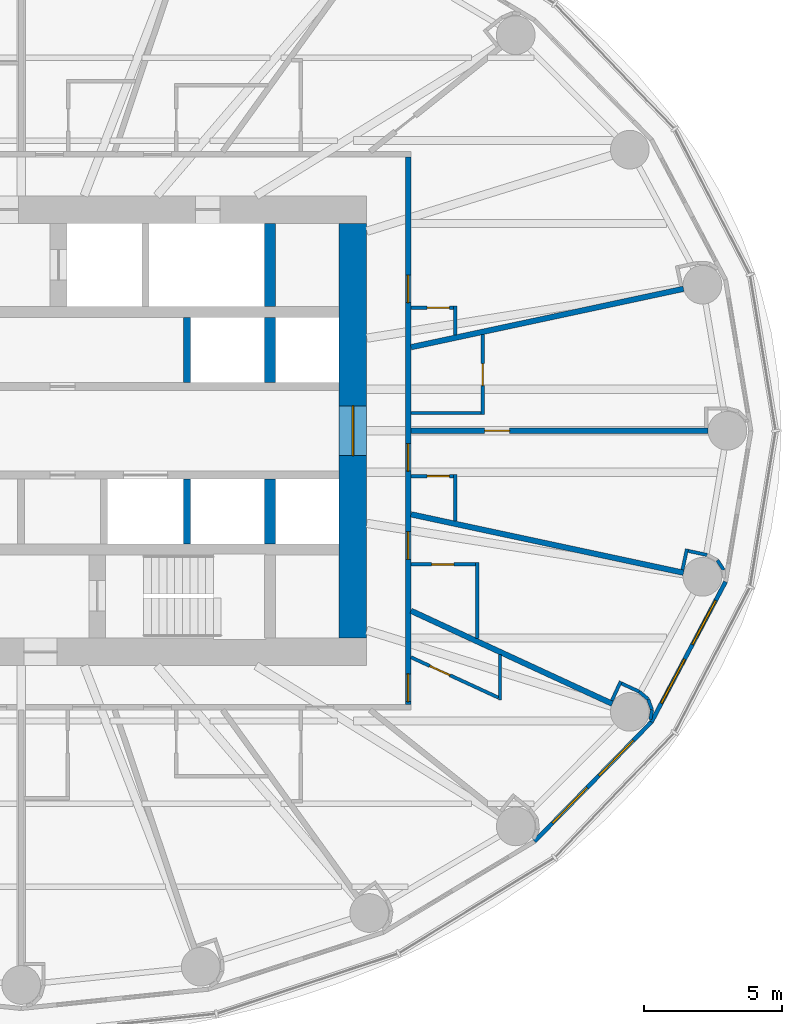
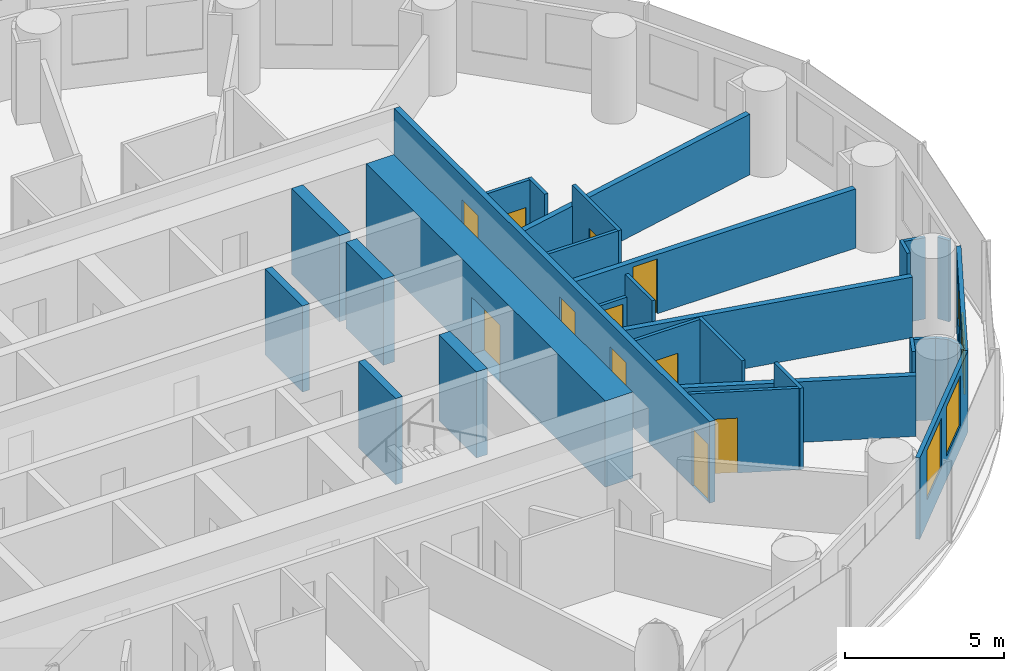
# One storey, part 10 of 14: 31 walls, 11 doors, 4 windows, 15 openings.
"""IFC4 building model written with IfcOpenShell, lengths in metres."""

from ifc_helpers import new_model, si_unit, direction, frame, frame_2d, origin, place, context, subcontext, project, spatial, rectangle, extrude, material, layer, layer_set, type_object, element, fill, save


model = new_model("IFC4")

# Units and contexts
model_context = context("Model", 3, precision=1e-05, world=origin(), true_north=direction((0.0, 1.0)))
body_context = subcontext(model_context, "Body", "Model", "MODEL_VIEW")
ifc_project = project(units=[si_unit("LENGTHUNIT", "METRE"), si_unit("AREAUNIT", "SQUARE_METRE"), si_unit("VOLUMEUNIT", "CUBIC_METRE"), si_unit("PLANEANGLEUNIT", "RADIAN"), si_unit("MASSUNIT", "GRAM", prefix="KILO")], contexts=[model_context])

# Site, building, storey
site_placement = place(None, origin())
site = spatial("IfcSite", under=ifc_project, at=site_placement, CompositionType="ELEMENT")
building_placement = place(site_placement, origin())
building = spatial("IfcBuilding", under=site, at=building_placement, Name="Hankou Lantern Tower", CompositionType="ELEMENT")
storey_placement = place(building_placement, frame((0.0, 0.0, 60.60009765625)))
storey = spatial("IfcBuildingStorey", under=building, at=storey_placement, Name="L14", CompositionType="ELEMENT", Elevation=60.60009765625)

# Wall, opening, door
ifc_material_1 = material(Name="Concrete C60", Category="concrete")
ifc_layer_1 = layer(ifc_material_1, 1.0)
ifc_layer_set_1 = layer_set([ifc_layer_1], Name="Concrete C60")
wall_type_1 = type_object("IfcWallType", Name="CW1 CORE WALL 1000", PredefinedType="SHEAR", material=ifc_layer_set_1)
wall_1_placement = place(storey_placement, frame((12.0, -7.5, 0.0), z_axis=(0.0, 0.0, 1.0), x_axis=(0.0, 1.0, 0.0)))
wall_1 = element("IfcWall", 1, at=wall_1_placement, inside=storey, type_object=wall_type_1, Name="Core wall east L14", PredefinedType="SHEAR", context=body_context, shape_type="SweptSolid", body=[
    extrude(rectangle(XDim=15.0, YDim=1.0, at=frame_2d((7.5, 0.0))), origin(), (0.0, 0.0, 1.0), 3.2998046875),
])
opening_1_placement = place(wall_1_placement, frame((6.60009765625, 0.0, 0.0)))
opening_1 = element("IfcOpeningElement", 2, at=opening_1_placement, cuts=wall_1, Name="Opening D6", PredefinedType="OPENING", context=body_context, shape_type="SweptSolid", body=[
    extrude(rectangle(XDim=1.800048828125, YDim=2.199951171875, at=frame_2d((0.89990234375, 1.10009765625))), frame((0.0, 0.510009765625, 0.0), z_axis=(0.0, -1.0, 0.0), x_axis=(1.0, 0.0, 0.0)), (0.0, 0.0, 1.0), 1.02001953125),
])
ifc_material_2 = material(Name="Steel door leaf", Category="steel")
door_type_1 = type_object("IfcDoorType", Name="D6 LIFT LOBBY DOOR 1800X2200", OperationType="DOUBLE_DOOR_DOUBLE_SWING", PredefinedType="DOOR", material=ifc_material_2)
door_1_placement = place(opening_1_placement, origin())
door_1 = element("IfcDoor", 3, at=door_1_placement, inside=storey, type_object=door_type_1, Name="Lift lobby east door", OperationType="DOUBLE_DOOR_DOUBLE_SWING", OverallHeight=2.199951171875, OverallWidth=1.800048828125, PredefinedType="DOOR", context=body_context, shape_type="SweptSolid", body=[
    extrude(rectangle(XDim=1.800048828125, YDim=2.199951171875, at=frame_2d((0.89990234375, 1.10009765625))), frame((0.0, 0.02490234375, 0.0), z_axis=(0.0, -1.0, 0.0), x_axis=(1.0, 0.0, 0.0)), (0.0, 0.0, 1.0), 0.050048828125),
])
fill(opening_1, door_1)

# Walls
ifc_material_3 = material(Name="Concrete C60", Category="concrete")
ifc_layer_2 = layer(ifc_material_3, 0.39990234375)
ifc_layer_set_2 = layer_set([ifc_layer_2], Name="Concrete C60")
wall_type_2 = type_object("IfcWallType", Name="CW4 CORE CROSS WALL 400", PredefinedType="SHEAR", material=ifc_layer_set_2)
wall_2_placement = place(storey_placement, frame((9.0, 4.5, 0.0), z_axis=(0.0, 0.0, 1.0), x_axis=(0.0, 1.0, 0.0)))
element("IfcWall", 4, at=wall_2_placement, inside=storey, type_object=wall_type_2, Name="Core strip wall L14", PredefinedType="SHEAR", context=body_context, shape_type="SweptSolid", body=[
    extrude(rectangle(XDim=3.0, YDim=0.39990234375, at=frame_2d((1.5, 0.0))), origin(), (0.0, 0.0, 1.0), 3.2998046875),
])
for number, where, z_axis, x_axis, name in (
    (5, (9.0, 1.75, 0.0), (0.0, 0.0, 1.0), (0.0, 1.0, 0.0), "Core strip wall L14"),
    (6, (9.0, -4.10009765625, 0.0), (0.0, 0.0, 1.0), (0.0, 1.0, 0.0), "Core strip wall L14"),
):
    element("IfcWall", number, at=place(storey_placement, frame(where, z_axis=z_axis, x_axis=x_axis)), inside=storey, type_object=wall_type_2, Name=name, PredefinedType="SHEAR", context=body_context, shape_type="SweptSolid", body=[
        extrude(rectangle(XDim=2.35009765625, YDim=0.39990234375, at=frame_2d((1.175048828125, 0.0))), origin(), (0.0, 0.0, 1.0), 3.2998046875),
    ])

# Wall, openings, windows
ifc_material_4 = material(Name="Aluminium spandrel panel on steel studs", Category="steel")
ifc_layer_3 = layer(ifc_material_4, 0.14990234375)
ifc_layer_set_3 = layer_set([ifc_layer_3], Name="Aluminium spandrel panel on steel studs")
wall_type_3 = type_object("IfcWallType", Name="EW1 INNER SKIN WALL 150", PredefinedType="ELEMENTEDWALL", material=ifc_layer_set_3)
wall_3_placement = place(storey_placement, frame((18.569580078125, -14.855712890625, 0.0), z_axis=(0.0, 0.0, 1.0), x_axis=(0.699602905915, 0.714531856557, 0.0)))
wall_3 = element("IfcWall", 7, at=wall_3_placement, inside=storey, type_object=wall_type_3, Name="Inner skin R22-R23 L14", PredefinedType="ELEMENTEDWALL", context=body_context, shape_type="SweptSolid", body=[
    extrude(rectangle(XDim=6.05078125, YDim=0.14990234375, at=frame_2d((3.025390625, 0.0))), origin(), (0.0, 0.0, 1.0), 3.119873046875),
])
opening_2_placement = place(wall_3_placement, frame((0.925537109375, 0.0, 0.89990234375)))
opening_2 = element("IfcOpeningElement", 8, at=opening_2_placement, cuts=wall_3, Name="Opening W1", PredefinedType="OPENING", context=body_context, shape_type="SweptSolid", body=[
    extrude(rectangle(XDim=1.800048828125, YDim=1.89990234375, at=frame_2d((0.89990234375, 0.949951171875))), frame((0.0, 0.0849609375, 0.0), z_axis=(0.0, -1.0, 0.0), x_axis=(1.0, 0.0, 0.0)), (0.0, 0.0, 1.0), 0.169921875),
])
opening_3_placement = place(wall_3_placement, frame((3.325439453125, 0.0, 0.89990234375)))
opening_3 = element("IfcOpeningElement", 9, at=opening_3_placement, cuts=wall_3, Name="Opening W1", PredefinedType="OPENING", context=body_context, shape_type="SweptSolid", body=[
    extrude(rectangle(XDim=1.800048828125, YDim=1.89990234375, at=frame_2d((0.89990234375, 0.949951171875))), frame((0.0, 0.0849609375, 0.0), z_axis=(0.0, -1.0, 0.0), x_axis=(1.0, 0.0, 0.0)), (0.0, 0.0, 1.0), 0.169921875),
])
ifc_material_5 = material(Name="Aluminium framed double glazed window", Category="aluminium")
window_type = type_object("IfcWindowType", Name="W1 GUEST ROOM WINDOW 1800X1900", PartitioningType="DOUBLE_PANEL_VERTICAL", PredefinedType="WINDOW", material=ifc_material_5)
window_1_placement = place(opening_2_placement, origin())
window_1 = element("IfcWindow", 10, at=window_1_placement, inside=storey, type_object=window_type, Name="Window R22.1 L14", OverallHeight=1.89990234375, OverallWidth=1.800048828125, PartitioningType="SINGLE_PANEL", PredefinedType="WINDOW", context=body_context, shape_type="SweptSolid", body=[
    extrude(rectangle(XDim=1.800048828125, YDim=1.89990234375, at=frame_2d((0.89990234375, 0.949951171875))), frame((0.0, 0.030029296875, 0.0), z_axis=(0.0, -1.0, 0.0), x_axis=(1.0, 0.0, 0.0)), (0.0, 0.0, 1.0), 0.06005859375),
])
fill(opening_2, window_1)
window_2_placement = place(opening_3_placement, origin())
window_2 = element("IfcWindow", 11, at=window_2_placement, inside=storey, type_object=window_type, Name="Window R22.2 L14", OverallHeight=1.89990234375, OverallWidth=1.800048828125, PartitioningType="SINGLE_PANEL", PredefinedType="WINDOW", context=body_context, shape_type="SweptSolid", body=[
    extrude(rectangle(XDim=1.800048828125, YDim=1.89990234375, at=frame_2d((0.89990234375, 0.949951171875))), frame((0.0, 0.030029296875, 0.0), z_axis=(0.0, -1.0, 0.0), x_axis=(1.0, 0.0, 0.0)), (0.0, 0.0, 1.0), 0.06005859375),
])
fill(opening_3, window_2)

wall_4_placement = place(storey_placement, frame((22.802734375, -10.5322265625, 0.0), z_axis=(0.0, 0.0, 1.0), x_axis=(0.467296867008, 0.884100468321, 0.0)))
wall_4 = element("IfcWall", 12, at=wall_4_placement, inside=storey, type_object=wall_type_3, Name="Inner skin R23-R24 L14", PredefinedType="ELEMENTEDWALL", context=body_context, shape_type="SweptSolid", body=[
    extrude(rectangle(XDim=5.734375, YDim=0.14990234375, at=frame_2d((2.8671875, 0.0))), origin(), (0.0, 0.0, 1.0), 3.119873046875),
])
opening_4_placement = place(wall_4_placement, frame((0.76708984375, 0.0, 0.89990234375)))
opening_4 = element("IfcOpeningElement", 13, at=opening_4_placement, cuts=wall_4, Name="Opening W1", PredefinedType="OPENING", context=body_context, shape_type="SweptSolid", body=[
    extrude(rectangle(XDim=1.800048828125, YDim=1.89990234375, at=frame_2d((0.89990234375, 0.949951171875))), frame((0.0, 0.0849609375, 0.0), z_axis=(0.0, -1.0, 0.0), x_axis=(1.0, 0.0, 0.0)), (0.0, 0.0, 1.0), 0.169921875),
])
opening_5_placement = place(wall_4_placement, frame((3.167236328125, 0.0, 0.89990234375)))
opening_5 = element("IfcOpeningElement", 14, at=opening_5_placement, cuts=wall_4, Name="Opening W1", PredefinedType="OPENING", context=body_context, shape_type="SweptSolid", body=[
    extrude(rectangle(XDim=1.800048828125, YDim=1.89990234375, at=frame_2d((0.89990234375, 0.949951171875))), frame((0.0, 0.0849609375, 0.0), z_axis=(0.0, -1.0, 0.0), x_axis=(1.0, 0.0, 0.0)), (0.0, 0.0, 1.0), 0.169921875),
])
window_3_placement = place(opening_4_placement, origin())
window_3 = element("IfcWindow", 15, at=window_3_placement, inside=storey, type_object=window_type, Name="Window R23.1 L14", OverallHeight=1.89990234375, OverallWidth=1.800048828125, PartitioningType="SINGLE_PANEL", PredefinedType="WINDOW", context=body_context, shape_type="SweptSolid", body=[
    extrude(rectangle(XDim=1.800048828125, YDim=1.89990234375, at=frame_2d((0.89990234375, 0.949951171875))), frame((0.0, 0.030029296875, 0.0), z_axis=(0.0, -1.0, 0.0), x_axis=(1.0, 0.0, 0.0)), (0.0, 0.0, 1.0), 0.06005859375),
])
fill(opening_4, window_3)
window_4_placement = place(opening_5_placement, origin())
window_4 = element("IfcWindow", 16, at=window_4_placement, inside=storey, type_object=window_type, Name="Window R23.2 L14", OverallHeight=1.89990234375, OverallWidth=1.800048828125, PartitioningType="SINGLE_PANEL", PredefinedType="WINDOW", context=body_context, shape_type="SweptSolid", body=[
    extrude(rectangle(XDim=1.800048828125, YDim=1.89990234375, at=frame_2d((0.89990234375, 0.949951171875))), frame((0.0, 0.030029296875, 0.0), z_axis=(0.0, -1.0, 0.0), x_axis=(1.0, 0.0, 0.0)), (0.0, 0.0, 1.0), 0.06005859375),
])
fill(opening_5, window_4)

# Walls
ifc_material_6 = material(Name="Masonry lightweight concrete block", Category="masonry")
ifc_layer_4 = layer(ifc_material_6, 0.199951171875)
ifc_layer_set_4 = layer_set([ifc_layer_4], Name="Masonry lightweight concrete block")
wall_type_4 = type_object("IfcWallType", Name="IW1 GUEST ROOM PARTY WALL 200", PredefinedType="PARTITIONING", material=ifc_layer_set_4)
wall_5_placement = place(storey_placement, frame((14.10009765625, 3.0224609375, 0.0), z_axis=(0.0, 0.0, 1.0), x_axis=(0.977790014929, 0.209586943072, 0.0)))
element("IfcWall", 17, at=wall_5_placement, inside=storey, type_object=wall_type_4, Name="Party wall R02", PredefinedType="PARTITIONING", context=body_context, shape_type="SweptSolid", body=[
    extrude(rectangle(XDim=10.086669921875, YDim=0.199951171875, at=frame_2d((5.04345703125, 0.0))), origin(), (0.0, 0.0, 1.0), 2.31982421875),
])
wall_6_placement = place(storey_placement, frame((14.10009765625, -6.512451171875, 0.0), z_axis=(0.0, 0.0, 1.0), x_axis=(0.907832871056, -0.419332181247, 0.0)))
element("IfcWall", 18, at=wall_6_placement, inside=storey, type_object=wall_type_4, Name="Party wall R23", PredefinedType="PARTITIONING", context=body_context, shape_type="SweptSolid", body=[
    extrude(rectangle(XDim=8.02294921875, YDim=0.199951171875, at=frame_2d((4.011474609375, 0.0))), origin(), (0.0, 0.0, 1.0), 2.31982421875),
])
wall_7_placement = place(storey_placement, frame((14.10009765625, -3.0224609375, 0.0), z_axis=(0.0, 0.0, 1.0), x_axis=(0.977790014929, -0.209586943072, 0.0)))
element("IfcWall", 19, at=wall_7_placement, inside=storey, type_object=wall_type_4, Name="Party wall R24", PredefinedType="PARTITIONING", context=body_context, shape_type="SweptSolid", body=[
    extrude(rectangle(XDim=10.086669921875, YDim=0.199951171875, at=frame_2d((5.04345703125, 0.0))), origin(), (0.0, 0.0, 1.0), 2.31982421875),
])

# Wall, openings, doors
ifc_material_7 = material(Name="Masonry lightweight concrete block", Category="masonry")
ifc_layer_5 = layer(ifc_material_7, 0.199951171875)
ifc_layer_set_5 = layer_set([ifc_layer_5], Name="Masonry lightweight concrete block")
wall_type_5 = type_object("IfcWallType", Name="IW2 CORRIDOR WALL 200", PredefinedType="PARTITIONING", material=ifc_layer_set_5)
wall_8_placement = place(storey_placement, frame((14.0, -9.89990234375, 0.0), z_axis=(0.0, 0.0, 1.0), x_axis=(0.0, 1.0, 0.0)))
wall_8 = element("IfcWall", 20, at=wall_8_placement, inside=storey, type_object=wall_type_5, Name="Corridor wall east", PredefinedType="PARTITIONING", context=body_context, shape_type="SweptSolid", body=[
    extrude(rectangle(XDim=19.7998046875, YDim=0.199951171875, at=frame_2d((9.89990234375, 0.0))), origin(), (0.0, 0.0, 1.0), 3.119873046875),
])
opening_6_placement = place(wall_8_placement, frame((0.1025390625, 0.0, 0.0)))
opening_6 = element("IfcOpeningElement", 21, at=opening_6_placement, cuts=wall_8, Name="Opening D1", PredefinedType="OPENING", context=body_context, shape_type="SweptSolid", body=[
    extrude(rectangle(XDim=1.0, YDim=2.199951171875, at=frame_2d((0.5, 1.10009765625))), frame((0.0, 0.10986328125, 0.0), z_axis=(0.0, -1.0, 0.0), x_axis=(1.0, 0.0, 0.0)), (0.0, 0.0, 1.0), 0.219970703125),
])
opening_7_placement = place(wall_8_placement, frame((5.24755859375, 0.0, 0.0)))
opening_7 = element("IfcOpeningElement", 22, at=opening_7_placement, cuts=wall_8, Name="Opening D1", PredefinedType="OPENING", context=body_context, shape_type="SweptSolid", body=[
    extrude(rectangle(XDim=1.0, YDim=2.199951171875, at=frame_2d((0.5, 1.10009765625))), frame((0.0, 0.10986328125, 0.0), z_axis=(0.0, -1.0, 0.0), x_axis=(1.0, 0.0, 0.0)), (0.0, 0.0, 1.0), 0.219970703125),
])
opening_8_placement = place(wall_8_placement, frame((8.4375, 0.0, 0.0)))
opening_8 = element("IfcOpeningElement", 23, at=opening_8_placement, cuts=wall_8, Name="Opening D2", PredefinedType="OPENING", context=body_context, shape_type="SweptSolid", body=[
    extrude(rectangle(XDim=1.0, YDim=2.199951171875, at=frame_2d((0.5, 1.10009765625))), frame((0.0, 0.10986328125, 0.0), z_axis=(0.0, -1.0, 0.0), x_axis=(1.0, 0.0, 0.0)), (0.0, 0.0, 1.0), 0.219970703125),
])
opening_9_placement = place(wall_8_placement, frame((14.532470703125, 0.0, 0.0)))
opening_9 = element("IfcOpeningElement", 24, at=opening_9_placement, cuts=wall_8, Name="Opening D2", PredefinedType="OPENING", context=body_context, shape_type="SweptSolid", body=[
    extrude(rectangle(XDim=1.0, YDim=2.199951171875, at=frame_2d((0.5, 1.10009765625))), frame((0.0, 0.10986328125, 0.0), z_axis=(0.0, -1.0, 0.0), x_axis=(1.0, 0.0, 0.0)), (0.0, 0.0, 1.0), 0.219970703125),
])
ifc_material_8 = material(Name="Steel door leaf", Category="steel")
door_type_2 = type_object("IfcDoorType", Name="D1 GUEST ROOM DOOR 1000X2200", OperationType="SINGLE_SWING_LEFT", PredefinedType="DOOR", material=ifc_material_8)
door_2_placement = place(opening_6_placement, origin())
door_2 = element("IfcDoor", 25, at=door_2_placement, inside=storey, type_object=door_type_2, Name="Guest room door 1401", OperationType="SINGLE_SWING_LEFT", OverallHeight=2.199951171875, OverallWidth=1.0, PredefinedType="DOOR", context=body_context, shape_type="SweptSolid", body=[
    extrude(rectangle(XDim=1.0, YDim=2.199951171875, at=frame_2d((0.5, 1.10009765625))), frame((0.0, 0.02490234375, 0.0), z_axis=(0.0, -1.0, 0.0), x_axis=(1.0, 0.0, 0.0)), (0.0, 0.0, 1.0), 0.050048828125),
])
fill(opening_6, door_2)
door_3_placement = place(opening_7_placement, origin())
door_3 = element("IfcDoor", 26, at=door_3_placement, inside=storey, type_object=door_type_2, Name="Guest room door 1402", OperationType="SINGLE_SWING_LEFT", OverallHeight=2.199951171875, OverallWidth=1.0, PredefinedType="DOOR", context=body_context, shape_type="SweptSolid", body=[
    extrude(rectangle(XDim=1.0, YDim=2.199951171875, at=frame_2d((0.5, 1.10009765625))), frame((0.0, 0.02490234375, 0.0), z_axis=(0.0, -1.0, 0.0), x_axis=(1.0, 0.0, 0.0)), (0.0, 0.0, 1.0), 0.050048828125),
])
fill(opening_7, door_3)
ifc_material_9 = material(Name="Steel door leaf", Category="steel")
door_type_3 = type_object("IfcDoorType", Name="D2 SUITE DOOR 1000X2200", OperationType="SINGLE_SWING_LEFT", PredefinedType="DOOR", material=ifc_material_9)
door_4_placement = place(opening_8_placement, origin())
door_4 = element("IfcDoor", 27, at=door_4_placement, inside=storey, type_object=door_type_3, Name="Suite door 1403C", OperationType="SINGLE_SWING_LEFT", OverallHeight=2.199951171875, OverallWidth=1.0, PredefinedType="DOOR", context=body_context, shape_type="SweptSolid", body=[
    extrude(rectangle(XDim=1.0, YDim=2.199951171875, at=frame_2d((0.5, 1.10009765625))), frame((0.0, 0.02490234375, 0.0), z_axis=(0.0, -1.0, 0.0), x_axis=(1.0, 0.0, 0.0)), (0.0, 0.0, 1.0), 0.050048828125),
])
fill(opening_8, door_4)
door_5_placement = place(opening_9_placement, origin())
door_5 = element("IfcDoor", 28, at=door_5_placement, inside=storey, type_object=door_type_3, Name="Suite door 1404C", OperationType="SINGLE_SWING_RIGHT", OverallHeight=2.199951171875, OverallWidth=1.0, PredefinedType="DOOR", context=body_context, shape_type="SweptSolid", body=[
    extrude(rectangle(XDim=1.0, YDim=2.199951171875, at=frame_2d((0.5, 1.10009765625))), frame((0.0, 0.02490234375, 0.0), z_axis=(0.0, -1.0, 0.0), x_axis=(1.0, 0.0, 0.0)), (0.0, 0.0, 1.0), 0.050048828125),
])
fill(opening_9, door_5)

# Wall
ifc_material_10 = material(Name="Masonry lightweight concrete block", Category="masonry")
ifc_layer_6 = layer(ifc_material_10, 0.1201171875)
ifc_layer_set_6 = layer_set([ifc_layer_6], Name="Masonry lightweight concrete block")
wall_type_6 = type_object("IfcWallType", Name="IW3 BATHROOM WALL 120", PredefinedType="PARTITIONING", material=ifc_layer_set_6)
wall_9_placement = place(storey_placement, frame((17.32275390625, -8.10107421875, 0.0), z_axis=(0.0, 0.0, 1.0), x_axis=(0.0, -1.0, 0.0)))
element("IfcWall", 29, at=wall_9_placement, inside=storey, type_object=wall_type_6, Name="Box wall 1401 1", PredefinedType="PARTITIONING", context=body_context, shape_type="SweptSolid", body=[
    extrude(rectangle(XDim=1.639892578125, YDim=0.1201171875, at=frame_2d((0.81982421875, 0.0))), origin(), (0.0, 0.0, 1.0), 3.119873046875),
])

# Wall, opening, door
wall_10_placement = place(storey_placement, frame((14.10009765625, -8.192626953125, 0.0), z_axis=(0.0, 0.0, 1.0), x_axis=(0.907836493557, -0.419324338628, 0.0)))
wall_10 = element("IfcWall", 30, at=wall_10_placement, inside=storey, type_object=wall_type_6, Name="Box wall 1401 1", PredefinedType="PARTITIONING", context=body_context, shape_type="SweptSolid", body=[
    extrude(rectangle(XDim=3.48974609375, YDim=0.1201171875, at=frame_2d((1.744873046875, 0.0))), origin(), (0.0, 0.0, 1.0), 3.119873046875),
])
opening_10_placement = place(wall_10_placement, frame((0.75, 0.0, 0.0)))
opening_10 = element("IfcOpeningElement", 31, at=opening_10_placement, cuts=wall_10, Name="Opening D3", PredefinedType="OPENING", context=body_context, shape_type="SweptSolid", body=[
    extrude(rectangle(XDim=0.800048828125, YDim=2.10009765625, at=frame_2d((0.39990234375, 1.050048828125))), frame((0.0, 0.070068359375, 0.0), z_axis=(0.0, -1.0, 0.0), x_axis=(1.0, 0.0, 0.0)), (0.0, 0.0, 1.0), 0.14013671875),
])
ifc_material_11 = material(Name="Timber door leaf", Category="wood")
door_type_4 = type_object("IfcDoorType", Name="D3 BATHROOM DOOR 800X2100", OperationType="SINGLE_SWING_LEFT", PredefinedType="DOOR", material=ifc_material_11)
door_6_placement = place(opening_10_placement, origin())
door_6 = element("IfcDoor", 32, at=door_6_placement, inside=storey, type_object=door_type_4, Name="En-suite bathroom 1401 door", OperationType="SINGLE_SWING_LEFT", OverallHeight=2.10009765625, OverallWidth=0.800048828125, PredefinedType="DOOR", context=body_context, shape_type="SweptSolid", body=[
    extrude(rectangle(XDim=0.800048828125, YDim=2.10009765625, at=frame_2d((0.39990234375, 1.050048828125))), frame((0.0, 0.02490234375, 0.0), z_axis=(0.0, -1.0, 0.0), x_axis=(1.0, 0.0, 0.0)), (0.0, 0.0, 1.0), 0.050048828125),
])
fill(opening_10, door_6)

# Wall
wall_11_placement = place(storey_placement, frame((16.5, -7.52099609375, 0.0), z_axis=(0.0, 0.0, 1.0), x_axis=(0.0, 1.0, 0.0)))
element("IfcWall", 33, at=wall_11_placement, inside=storey, type_object=wall_type_6, Name="Box wall 1402 1", PredefinedType="PARTITIONING", context=body_context, shape_type="SweptSolid", body=[
    extrude(rectangle(XDim=2.74853515625, YDim=0.1201171875, at=frame_2d((1.374267578125, 0.0))), origin(), (0.0, 0.0, 1.0), 3.119873046875),
])

# Wall, opening, door
wall_12_placement = place(storey_placement, frame((14.10009765625, -4.83251953125, 0.0), z_axis=(0.0, 0.0, 1.0), x_axis=(1.0, 0.0, 0.0)))
wall_12 = element("IfcWall", 34, at=wall_12_placement, inside=storey, type_object=wall_type_6, Name="Box wall 1402 1", PredefinedType="PARTITIONING", context=body_context, shape_type="SweptSolid", body=[
    extrude(rectangle(XDim=2.33984375, YDim=0.1201171875, at=frame_2d((1.169921875, 0.0))), origin(), (0.0, 0.0, 1.0), 3.119873046875),
])
opening_11_placement = place(wall_12_placement, frame((0.75, 0.0, 0.0)))
opening_11 = element("IfcOpeningElement", 35, at=opening_11_placement, cuts=wall_12, Name="Opening D3", PredefinedType="OPENING", context=body_context, shape_type="SweptSolid", body=[
    extrude(rectangle(XDim=0.800048828125, YDim=2.10009765625, at=frame_2d((0.39990234375, 1.050048828125))), frame((0.0, 0.070068359375, 0.0), z_axis=(0.0, -1.0, 0.0), x_axis=(1.0, 0.0, 0.0)), (0.0, 0.0, 1.0), 0.14013671875),
])
door_7_placement = place(opening_11_placement, origin())
door_7 = element("IfcDoor", 36, at=door_7_placement, inside=storey, type_object=door_type_4, Name="En-suite bathroom 1402 door", OperationType="SINGLE_SWING_LEFT", OverallHeight=2.10009765625, OverallWidth=0.800048828125, PredefinedType="DOOR", context=body_context, shape_type="SweptSolid", body=[
    extrude(rectangle(XDim=0.800048828125, YDim=2.10009765625, at=frame_2d((0.39990234375, 1.050048828125))), frame((0.0, 0.02490234375, 0.0), z_axis=(0.0, -1.0, 0.0), x_axis=(1.0, 0.0, 0.0)), (0.0, 0.0, 1.0), 0.050048828125),
])
fill(opening_11, door_7)

# Wall
wall_13_placement = place(storey_placement, frame((15.699951171875, -3.265380859375, 0.0), z_axis=(0.0, 0.0, 1.0), x_axis=(0.0, 1.0, 0.0)))
element("IfcWall", 37, at=wall_13_placement, inside=storey, type_object=wall_type_6, Name="Box wall 1403C 1", PredefinedType="PARTITIONING", context=body_context, shape_type="SweptSolid", body=[
    extrude(rectangle(XDim=1.682861328125, YDim=0.1201171875, at=frame_2d((0.84130859375, 0.0))), origin(), (0.0, 0.0, 1.0), 3.119873046875),
])

# Wall, opening, door
wall_14_placement = place(storey_placement, frame((14.10009765625, -1.642578125, 0.0), z_axis=(0.0, 0.0, 1.0), x_axis=(1.0, 0.0, 0.0)))
wall_14 = element("IfcWall", 38, at=wall_14_placement, inside=storey, type_object=wall_type_6, Name="Box wall 1403C 1", PredefinedType="PARTITIONING", context=body_context, shape_type="SweptSolid", body=[
    extrude(rectangle(XDim=1.539794921875, YDim=0.1201171875, at=frame_2d((0.77001953125, 0.0))), origin(), (0.0, 0.0, 1.0), 2.31982421875),
])
opening_12_placement = place(wall_14_placement, frame((0.590087890625, 0.0, 0.0)))
opening_12 = element("IfcOpeningElement", 39, at=opening_12_placement, cuts=wall_14, Name="Opening D3", PredefinedType="OPENING", context=body_context, shape_type="SweptSolid", body=[
    extrude(rectangle(XDim=0.800048828125, YDim=2.10009765625, at=frame_2d((0.39990234375, 1.050048828125))), frame((0.0, 0.070068359375, 0.0), z_axis=(0.0, -1.0, 0.0), x_axis=(1.0, 0.0, 0.0)), (0.0, 0.0, 1.0), 0.14013671875),
])
door_8_placement = place(opening_12_placement, origin())
door_8 = element("IfcDoor", 40, at=door_8_placement, inside=storey, type_object=door_type_4, Name="Suite 1403 guest WC door", OperationType="SINGLE_SWING_LEFT", OverallHeight=2.10009765625, OverallWidth=0.800048828125, PredefinedType="DOOR", context=body_context, shape_type="SweptSolid", body=[
    extrude(rectangle(XDim=0.800048828125, YDim=2.10009765625, at=frame_2d((0.39990234375, 1.050048828125))), frame((0.0, 0.02490234375, 0.0), z_axis=(0.0, -1.0, 0.0), x_axis=(1.0, 0.0, 0.0)), (0.0, 0.0, 1.0), 0.050048828125),
])
fill(opening_12, door_8)

wall_15_placement = place(storey_placement, frame((16.699951171875, 3.479736328125, 0.0), z_axis=(0.0, 0.0, 1.0), x_axis=(0.0, -1.0, 0.0)))
wall_15 = element("IfcWall", 41, at=wall_15_placement, inside=storey, type_object=wall_type_6, Name="Box wall 1403A 1", PredefinedType="PARTITIONING", context=body_context, shape_type="SweptSolid", body=[
    extrude(rectangle(XDim=2.897216796875, YDim=0.1201171875, at=frame_2d((1.44873046875, 0.0))), origin(), (0.0, 0.0, 1.0), 3.119873046875),
])
opening_13_placement = place(wall_15_placement, frame((1.048583984375, 0.0, 0.0)))
opening_13 = element("IfcOpeningElement", 42, at=opening_13_placement, cuts=wall_15, Name="Opening D3", PredefinedType="OPENING", context=body_context, shape_type="SweptSolid", body=[
    extrude(rectangle(XDim=0.800048828125, YDim=2.10009765625, at=frame_2d((0.39990234375, 1.050048828125))), frame((0.0, 0.070068359375, 0.0), z_axis=(0.0, -1.0, 0.0), x_axis=(1.0, 0.0, 0.0)), (0.0, 0.0, 1.0), 0.14013671875),
])
door_9_placement = place(opening_13_placement, origin())
door_9 = element("IfcDoor", 43, at=door_9_placement, inside=storey, type_object=door_type_4, Name="Suite 1403 bathroom door", OperationType="SINGLE_SWING_LEFT", OverallHeight=2.10009765625, OverallWidth=0.800048828125, PredefinedType="DOOR", context=body_context, shape_type="SweptSolid", body=[
    extrude(rectangle(XDim=0.800048828125, YDim=2.10009765625, at=frame_2d((0.39990234375, 1.050048828125))), frame((0.0, 0.02490234375, 0.0), z_axis=(0.0, -1.0, 0.0), x_axis=(1.0, 0.0, 0.0)), (0.0, 0.0, 1.0), 0.050048828125),
])
fill(opening_13, door_9)

# Walls
wall_16_placement = place(storey_placement, frame((14.10009765625, 0.642578125, 0.0), z_axis=(0.0, 0.0, 1.0), x_axis=(1.0, 0.0, 0.0)))
element("IfcWall", 44, at=wall_16_placement, inside=storey, type_object=wall_type_6, Name="Box wall 1403A 1", PredefinedType="PARTITIONING", context=body_context, shape_type="SweptSolid", body=[
    extrude(rectangle(XDim=2.539794921875, YDim=0.1201171875, at=frame_2d((1.27001953125, 0.0))), origin(), (0.0, 0.0, 1.0), 3.119873046875),
])
wall_17_placement = place(storey_placement, frame((15.699951171875, 3.46533203125, 0.0), z_axis=(0.0, 0.0, 1.0), x_axis=(0.0, 1.0, 0.0)))
element("IfcWall", 45, at=wall_17_placement, inside=storey, type_object=wall_type_6, Name="Box wall 1404C 1", PredefinedType="PARTITIONING", context=body_context, shape_type="SweptSolid", body=[
    extrude(rectangle(XDim=1.047119140625, YDim=0.1201171875, at=frame_2d((0.5234375, 0.0))), origin(), (0.0, 0.0, 1.0), 3.119873046875),
])

# Wall, opening, door
wall_18_placement = place(storey_placement, frame((14.10009765625, 4.452392578125, 0.0), z_axis=(0.0, 0.0, 1.0), x_axis=(1.0, 0.0, 0.0)))
wall_18 = element("IfcWall", 46, at=wall_18_placement, inside=storey, type_object=wall_type_6, Name="Box wall 1404C 1", PredefinedType="PARTITIONING", context=body_context, shape_type="SweptSolid", body=[
    extrude(rectangle(XDim=1.539794921875, YDim=0.1201171875, at=frame_2d((0.77001953125, 0.0))), origin(), (0.0, 0.0, 1.0), 3.119873046875),
])
opening_14_placement = place(wall_18_placement, frame((0.590087890625, 0.0, 0.0)))
opening_14 = element("IfcOpeningElement", 47, at=opening_14_placement, cuts=wall_18, Name="Opening D3", PredefinedType="OPENING", context=body_context, shape_type="SweptSolid", body=[
    extrude(rectangle(XDim=0.800048828125, YDim=2.10009765625, at=frame_2d((0.39990234375, 1.050048828125))), frame((0.0, 0.070068359375, 0.0), z_axis=(0.0, -1.0, 0.0), x_axis=(1.0, 0.0, 0.0)), (0.0, 0.0, 1.0), 0.14013671875),
])
door_10_placement = place(opening_14_placement, origin())
door_10 = element("IfcDoor", 48, at=door_10_placement, inside=storey, type_object=door_type_4, Name="Corner suite 1404 guest WC door", OperationType="SINGLE_SWING_LEFT", OverallHeight=2.10009765625, OverallWidth=0.800048828125, PredefinedType="DOOR", context=body_context, shape_type="SweptSolid", body=[
    extrude(rectangle(XDim=0.800048828125, YDim=2.10009765625, at=frame_2d((0.39990234375, 1.050048828125))), frame((0.0, 0.02490234375, 0.0), z_axis=(0.0, -1.0, 0.0), x_axis=(1.0, 0.0, 0.0)), (0.0, 0.0, 1.0), 0.050048828125),
])
fill(opening_14, door_10)

# Walls
ifc_material_12 = material(Name="Masonry lightweight concrete block", Category="masonry")
ifc_layer_7 = layer(ifc_material_12, 0.1201171875)
ifc_layer_set_7 = layer_set([ifc_layer_7], Name="Masonry lightweight concrete block")
wall_type_7 = type_object("IfcWallType", Name="IW4 PARTITION 120", PredefinedType="PARTITIONING", material=ifc_layer_set_7)
wall_19_placement = place(storey_placement, frame((21.37109375, -9.7607421875, 0.0), z_axis=(0.0, 0.0, 1.0), x_axis=(0.419259891039, 0.907866258744, 0.0)))
element("IfcWall", 49, at=wall_19_placement, inside=storey, type_object=wall_type_7, Name="Column casing R23 return", PredefinedType="PARTITIONING", context=body_context, shape_type="SweptSolid", body=[
    extrude(rectangle(XDim=0.767578125, YDim=0.1201171875, at=frame_2d((0.3837890625, 0.0))), origin(), (0.0, 0.0, 1.0), 3.119873046875),
])
wall_20_placement = place(storey_placement, frame((21.72216796875, -9.1435546875, 0.0), z_axis=(0.0, 0.0, 1.0), x_axis=(0.907877701396, -0.419235112208, 0.0)))
element("IfcWall", 50, at=wall_20_placement, inside=storey, type_object=wall_type_7, Name="Column casing R23", PredefinedType="PARTITIONING", context=body_context, shape_type="SweptSolid", body=[
    extrude(rectangle(XDim=0.699951171875, YDim=0.1201171875, at=frame_2d((0.35009765625, 0.0))), origin(), (0.0, 0.0, 1.0), 3.119873046875),
])
wall_21_placement = place(storey_placement, frame((22.357666015625, -9.43701171875, 0.0), z_axis=(0.0, 0.0, 1.0), x_axis=(0.768412687942, -0.639954639806, 0.0)))
element("IfcWall", 51, at=wall_21_placement, inside=storey, type_object=wall_type_7, Name="Column casing R23", PredefinedType="PARTITIONING", context=body_context, shape_type="SweptSolid", body=[
    extrude(rectangle(XDim=0.418212890625, YDim=0.1201171875, at=frame_2d((0.208984375, 0.0))), origin(), (0.0, 0.0, 1.0), 3.119873046875),
])
wall_22_placement = place(storey_placement, frame((22.678955078125, -9.70458984375, 0.0), z_axis=(0.0, 0.0, 1.0), x_axis=(0.345164001646, -0.938542386879, 0.0)))
element("IfcWall", 52, at=wall_22_placement, inside=storey, type_object=wall_type_7, Name="Column casing R23", PredefinedType="PARTITIONING", context=body_context, shape_type="SweptSolid", body=[
    extrude(rectangle(XDim=0.41796875, YDim=0.1201171875, at=frame_2d((0.208984375, 0.0))), origin(), (0.0, 0.0, 1.0), 3.119873046875),
])
wall_23_placement = place(storey_placement, frame((22.8232421875, -10.096923828125, 0.0), z_axis=(0.0, 0.0, 1.0), x_axis=(-0.169674995186, -0.985500074079, 0.0)))
element("IfcWall", 53, at=wall_23_placement, inside=storey, type_object=wall_type_7, Name="Column casing R23", PredefinedType="PARTITIONING", context=body_context, shape_type="SweptSolid", body=[
    extrude(rectangle(XDim=0.3525390625, YDim=0.1201171875, at=frame_2d((0.17626953125, 0.0))), origin(), (0.0, 0.0, 1.0), 3.119873046875),
])
wall_24_placement = place(storey_placement, frame((23.9248046875, -5.026123046875, 0.0), z_axis=(0.0, 0.0, 1.0), x_axis=(0.209681192172, 0.977769808109, 0.0)))
element("IfcWall", 54, at=wall_24_placement, inside=storey, type_object=wall_type_7, Name="Column casing R24 return", PredefinedType="PARTITIONING", context=body_context, shape_type="SweptSolid", body=[
    extrude(rectangle(XDim=0.767333984375, YDim=0.1201171875, at=frame_2d((0.3837890625, 0.0))), origin(), (0.0, 0.0, 1.0), 3.119873046875),
])
wall_25_placement = place(storey_placement, frame((24.1318359375, -4.346923828125, 0.0), z_axis=(0.0, 0.0, 1.0), x_axis=(0.977776882509, -0.209648200638, 0.0)))
element("IfcWall", 55, at=wall_25_placement, inside=storey, type_object=wall_type_7, Name="Column casing R24", PredefinedType="PARTITIONING", context=body_context, shape_type="SweptSolid", body=[
    extrude(rectangle(XDim=0.699951171875, YDim=0.1201171875, at=frame_2d((0.35009765625, 0.0))), origin(), (0.0, 0.0, 1.0), 3.119873046875),
])
wall_26_placement = place(storey_placement, frame((25.1884765625, -4.68408203125, 0.0), z_axis=(0.0, 0.0, 1.0), x_axis=(0.543057568894, -0.839695466742, 0.0)))
element("IfcWall", 56, at=wall_26_placement, inside=storey, type_object=wall_type_7, Name="Column casing R24", PredefinedType="PARTITIONING", context=body_context, shape_type="SweptSolid", body=[
    extrude(rectangle(XDim=0.418212890625, YDim=0.1201171875, at=frame_2d((0.208984375, 0.0))), origin(), (0.0, 0.0, 1.0), 3.119873046875),
])

# Wall, opening, door
ifc_material_13 = material(Name="Masonry lightweight concrete block", Category="masonry")
ifc_layer_8 = layer(ifc_material_13, 0.199951171875)
ifc_layer_set_8 = layer_set([ifc_layer_8], Name="Masonry lightweight concrete block")
wall_type_8 = type_object("IfcWallType", Name="IW6 SUITE PARTITION 200", PredefinedType="PARTITIONING", material=ifc_layer_set_8)
wall_27_placement = place(storey_placement, frame((14.10009765625, 0.0, 0.0), z_axis=(0.0, 0.0, 1.0), x_axis=(1.0, 0.0, 0.0)))
wall_27 = element("IfcWall", 57, at=wall_27_placement, inside=storey, type_object=wall_type_8, Name="Suite partition R01", PredefinedType="PARTITIONING", context=body_context, shape_type="SweptSolid", body=[
    extrude(rectangle(XDim=10.75, YDim=0.199951171875, at=frame_2d((5.375, 0.0))), origin(), (0.0, 0.0, 1.0), 2.27001953125),
])
opening_15_placement = place(wall_27_placement, frame((2.669921875, 0.0, 0.0)))
opening_15 = element("IfcOpeningElement", 58, at=opening_15_placement, cuts=wall_27, Name="Opening D27", PredefinedType="OPENING", context=body_context, shape_type="SweptSolid", body=[
    extrude(rectangle(XDim=0.89990234375, YDim=2.10009765625, at=frame_2d((0.449951171875, 1.050048828125))), frame((0.0, 0.10986328125, 0.0), z_axis=(0.0, -1.0, 0.0), x_axis=(1.0, 0.0, 0.0)), (0.0, 0.0, 1.0), 0.219970703125),
])
ifc_material_14 = material(Name="Timber door leaf", Category="wood")
door_type_5 = type_object("IfcDoorType", Name="D27 INTERNAL DOOR 900X2100", OperationType="SINGLE_SWING_LEFT", PredefinedType="DOOR", material=ifc_material_14)
door_11_placement = place(opening_15_placement, origin())
door_11 = element("IfcDoor", 59, at=door_11_placement, inside=storey, type_object=door_type_5, Name="Suite 1403 bedroom door", OperationType="SINGLE_SWING_LEFT", OverallHeight=2.10009765625, OverallWidth=0.89990234375, PredefinedType="DOOR", context=body_context, shape_type="SweptSolid", body=[
    extrude(rectangle(XDim=0.89990234375, YDim=2.10009765625, at=frame_2d((0.449951171875, 1.050048828125))), frame((0.0, 0.02490234375, 0.0), z_axis=(0.0, -1.0, 0.0), x_axis=(1.0, 0.0, 0.0)), (0.0, 0.0, 1.0), 0.050048828125),
])
fill(opening_15, door_11)

# Walls
ifc_material_15 = material(Name="Masonry autoclaved aerated concrete block", Category="masonry")
ifc_layer_9 = layer(ifc_material_15, 0.25)
ifc_layer_set_9 = layer_set([ifc_layer_9], Name="Masonry autoclaved aerated concrete block")
wall_type_9 = type_object("IfcWallType", Name="SW1 SHAFT BLOCK WALL 250", PredefinedType="PARTITIONING", material=ifc_layer_set_9)
for number, where, z_axis, x_axis, name in (
    (60, (6.0, 1.75, 0.0), (0.0, 0.0, 1.0), (0.0, 1.0, 0.0), "Lift shaft wall L14"),
    (61, (6.0, -4.10009765625, 0.0), (0.0, 0.0, 1.0), (0.0, 1.0, 0.0), "Lift shaft wall L14"),
):
    element("IfcWall", number, at=place(storey_placement, frame(where, z_axis=z_axis, x_axis=x_axis)), inside=storey, type_object=wall_type_9, Name=name, PredefinedType="PARTITIONING", context=body_context, shape_type="SweptSolid", body=[
        extrude(rectangle(XDim=2.35009765625, YDim=0.25, at=frame_2d((1.175048828125, 0.0))), origin(), (0.0, 0.0, 1.0), 3.2998046875),
    ])

save(model, "model.ifc")
